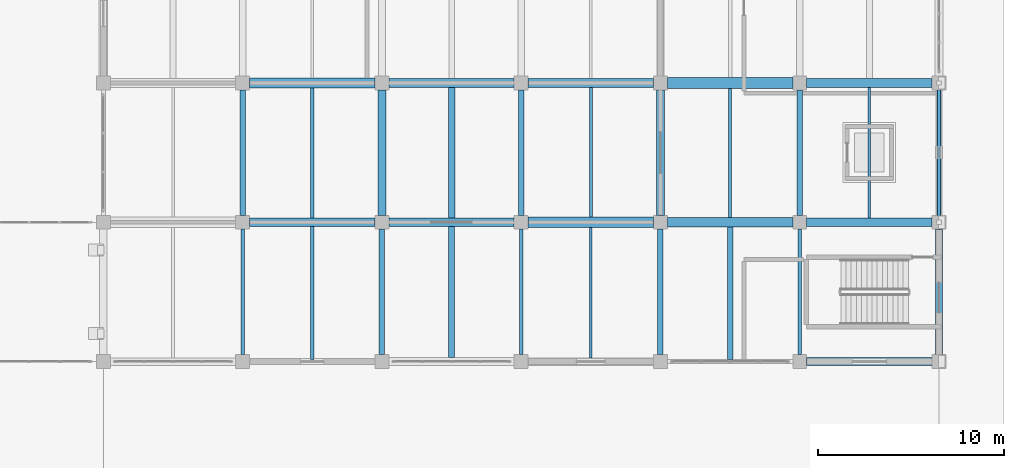
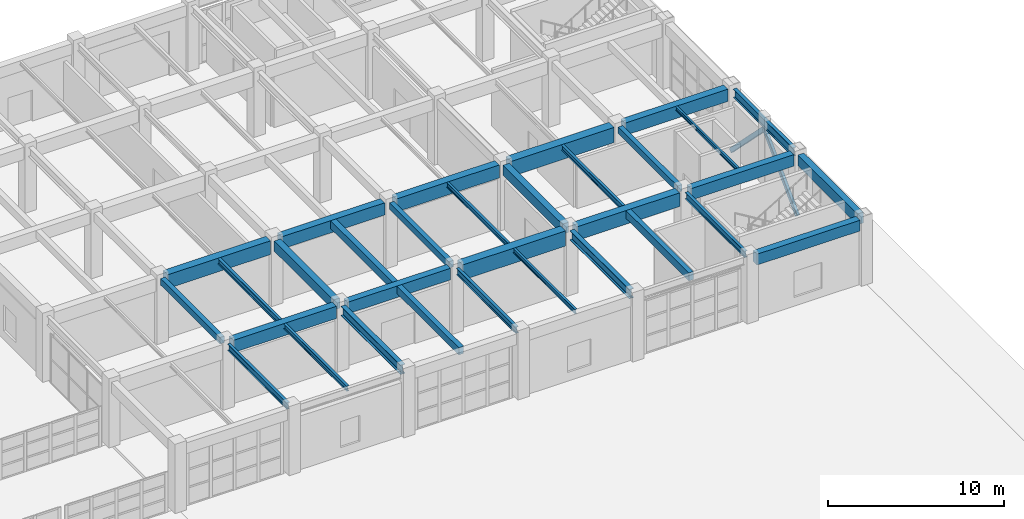
# One storey, part 64 of 122: 32 beams, 2 members.
"""IFC4 building model written with IfcOpenShell, lengths in metres."""

from ifc_helpers import new_model, si_unit, direction, frame, origin, origin_2d, place, context, subcontext, project, spatial, rectangle, hollow_rectangle, i_section, extrude, material, material_profile, profile_set, type_object, element, save


model = new_model("IFC4")

# Units and contexts
model_context = context("Model", 3, precision=1e-05, world=origin(), true_north=direction((0.0, 1.0)))
body_context = subcontext(model_context, "Body", "Model", "MODEL_VIEW")
ifc_project = project(units=[si_unit("LENGTHUNIT", "METRE"), si_unit("AREAUNIT", "SQUARE_METRE"), si_unit("VOLUMEUNIT", "CUBIC_METRE"), si_unit("PLANEANGLEUNIT", "RADIAN"), si_unit("MASSUNIT", "GRAM", prefix="KILO")], contexts=[model_context])

# Site, building, storey
site_placement = place(None, origin())
site = spatial("IfcSite", under=ifc_project, at=site_placement, CompositionType="ELEMENT")
building_placement = place(site_placement, origin())
building = spatial("IfcBuilding", under=site, at=building_placement, Name="Qasida Concert Hall", CompositionType="ELEMENT")
storey_placement = place(building_placement, origin())
storey = spatial("IfcBuildingStorey", under=building, at=storey_placement, Name="L00", CompositionType="ELEMENT", Elevation=0.0)

# Beams
ifc_material_1 = material(Name="Concrete C40/50", Category="concrete")
ifc_material_profile_1 = material_profile(ifc_material_1, rectangle(XDim=0.419921875, YDim=0.699951171875, at=origin_2d()), Name="RC 420x700")
ifc_profile_set_1 = profile_set([ifc_material_profile_1], Name="Concrete C40/50")
beam_type_1 = type_object("IfcBeamType", Name="BM-B11", PredefinedType="BEAM", material=ifc_profile_set_1)
for number, where, z_axis, x_axis, name in (
    (1, (135.0, 82.875, 4.14990234375), (0.0, 1.0, 0.0), (-1.0, 0.0, 0.0), "L00 girder 0636"),
    (2, (150.0, 82.875, 4.14990234375), (0.0, 1.0, 0.0), (-1.0, 0.0, 0.0), "L00 girder 0646"),
):
    element("IfcBeam", number, at=place(storey_placement, frame(where, z_axis=z_axis, x_axis=x_axis)), inside=storey, type_object=beam_type_1, Name=name, PredefinedType="BEAM", context=body_context, shape_type="SweptSolid", body=[
        extrude(rectangle(XDim=0.419921875, YDim=0.699951171875, at=origin_2d()), origin(), (0.0, 0.0, 1.0), 6.75),
    ])
ifc_material_2 = material(Name="Steel S355J2", Category="steel")
ifc_material_profile_2 = material_profile(ifc_material_2, i_section(OverallWidth=0.300048828125, OverallDepth=0.64990234375, WebThickness=0.01611328125, FlangeThickness=0.031005859375, FilletRadius=0.027099609375, at=origin_2d()), Name="HEB 650")
ifc_profile_set_2 = profile_set([ifc_material_profile_2], Name="Steel S355J2")
beam_type_2 = type_object("IfcBeamType", Name="BM-B13", PredefinedType="BEAM", material=ifc_profile_set_2)
for number, where, z_axis, x_axis, name in (
    (3, (135.0, 75.375, 4.175048828125), (0.0, 1.0, 0.0), (-1.0, 0.0, 0.0), "L00 girder 0635"),
    (4, (150.0, 75.375, 4.175048828125), (0.0, 1.0, 0.0), (-1.0, 0.0, 0.0), "L00 girder 0645"),
):
    element("IfcBeam", number, at=place(storey_placement, frame(where, z_axis=z_axis, x_axis=x_axis)), inside=storey, type_object=beam_type_2, Name=name, PredefinedType="BEAM", context=body_context, shape_type="SweptSolid", body=[
        extrude(i_section(OverallWidth=0.300048828125, OverallDepth=0.64990234375, WebThickness=0.01611328125, FlangeThickness=0.031005859375, FilletRadius=0.027099609375, at=origin_2d()), origin(), (0.0, 0.0, 1.0), 6.75),
    ])
ifc_material_profile_3 = material_profile(ifc_material_1, rectangle(XDim=0.300048828125, YDim=0.449951171875, at=origin_2d()), Name="RC 300x450")
ifc_profile_set_3 = profile_set([ifc_material_profile_3], Name="Concrete C40/50")
beam_type_3 = type_object("IfcBeamType", Name="BM-B3", PredefinedType="BEAM", material=ifc_profile_set_3)
for number, where, z_axis, x_axis, name in (
    (5, (127.5, 82.875, 4.27490234375), (0.0, 1.0, 0.0), (-1.0, 0.0, 0.0), "L00 girder 0631"),
    (6, (142.5, 82.875, 4.27490234375), (0.0, 1.0, 0.0), (-1.0, 0.0, 0.0), "L00 girder 0641"),
    (7, (157.5, 82.875, 4.27490234375), (0.0, 1.0, 0.0), (-1.0, 0.0, 0.0), "L00 girder 0651"),
):
    element("IfcBeam", number, at=place(storey_placement, frame(where, z_axis=z_axis, x_axis=x_axis)), inside=storey, type_object=beam_type_3, Name=name, PredefinedType="BEAM", context=body_context, shape_type="SweptSolid", body=[
        extrude(rectangle(XDim=0.300048828125, YDim=0.449951171875, at=origin_2d()), origin(), (0.0, 0.0, 1.0), 6.75),
    ])
ifc_material_profile_4 = material_profile(ifc_material_2, i_section(OverallWidth=0.18994140625, OverallDepth=0.449951171875, WebThickness=0.009521484375, FlangeThickness=0.0146484375, FilletRadius=0.02099609375, at=origin_2d()), Name="IPE 450")
ifc_profile_set_4 = profile_set([ifc_material_profile_4], Name="Steel S355J2")
beam_type_4 = type_object("IfcBeamType", Name="BM-B5", PredefinedType="BEAM", material=ifc_profile_set_4)
for number, where, z_axis, x_axis, name in (
    (8, (127.5, 75.375, 4.27490234375), (0.0, 1.0, 0.0), (-1.0, 0.0, 0.0), "L00 girder 0630"),
    (9, (142.5, 75.375, 4.27490234375), (0.0, 1.0, 0.0), (-1.0, 0.0, 0.0), "L00 girder 0640"),
    (10, (157.5, 75.375, 4.27490234375), (0.0, 1.0, 0.0), (-1.0, 0.0, 0.0), "L00 girder 0650"),
):
    element("IfcBeam", number, at=place(storey_placement, frame(where, z_axis=z_axis, x_axis=x_axis)), inside=storey, type_object=beam_type_4, Name=name, PredefinedType="BEAM", context=body_context, shape_type="SweptSolid", body=[
        extrude(i_section(OverallWidth=0.18994140625, OverallDepth=0.449951171875, WebThickness=0.009521484375, FlangeThickness=0.0146484375, FilletRadius=0.02099609375, at=origin_2d()), origin(), (0.0, 0.0, 1.0), 6.75),
    ])
ifc_material_profile_5 = material_profile(ifc_material_1, rectangle(XDim=0.5, YDim=0.89990234375, at=origin_2d()), Name="RC 500x900")
ifc_profile_set_5 = profile_set([ifc_material_profile_5], Name="Concrete C40/50")
beam_type_5 = type_object("IfcBeamType", Name="BM-G1", PredefinedType="USERDEFINED", material=ifc_profile_set_5)
beam_1_placement = place(storey_placement, frame((142.875, 90.0, 4.050048828125), z_axis=(1.0, 0.0, 0.0), x_axis=(0.0, 1.0, 0.0)))
element("IfcBeam", 11, at=beam_1_placement, inside=storey, type_object=beam_type_5, Name="Primary girder 0604", ObjectType="GIRDER", PredefinedType="USERDEFINED", context=body_context, shape_type="SweptSolid", body=[
    extrude(rectangle(XDim=0.5, YDim=0.89990234375, at=origin_2d()), origin(), (0.0, 0.0, 1.0), 6.75),
])
ifc_material_profile_6 = material_profile(ifc_material_1, rectangle(XDim=0.449951171875, YDim=0.800048828125, at=origin_2d()), Name="RC 450x800")
ifc_profile_set_6 = profile_set([ifc_material_profile_6], Name="Concrete C40/50")
beam_type_6 = type_object("IfcBeamType", Name="BM-G2", PredefinedType="USERDEFINED", material=ifc_profile_set_6)
for number, where, z_axis, x_axis, name in (
    (12, (135.375, 82.5, 4.10009765625), (1.0, 0.0, 0.0), (0.0, 1.0, 0.0), "Primary girder 0597"),
    (13, (157.875, 82.5, 4.10009765625), (1.0, 0.0, 0.0), (0.0, 1.0, 0.0), "Primary girder 0600"),
):
    element("IfcBeam", number, at=place(storey_placement, frame(where, z_axis=z_axis, x_axis=x_axis)), inside=storey, type_object=beam_type_6, Name=name, ObjectType="GIRDER", PredefinedType="USERDEFINED", context=body_context, shape_type="SweptSolid", body=[
        extrude(rectangle(XDim=0.449951171875, YDim=0.800048828125, at=origin_2d()), origin(), (0.0, 0.0, 1.0), 6.75),
    ])
ifc_material_profile_7 = material_profile(ifc_material_1, rectangle(XDim=0.47998046875, YDim=0.85009765625, at=origin_2d()), Name="RC 480x850")
ifc_profile_set_7 = profile_set([ifc_material_profile_7], Name="Concrete C40/50")
beam_type_7 = type_object("IfcBeamType", Name="BM-G6", PredefinedType="USERDEFINED", material=ifc_profile_set_7)
for number, where, z_axis, x_axis, name in (
    (14, (127.875, 82.5, 4.074951171875), (1.0, 0.0, 0.0), (0.0, 1.0, 0.0), "Primary girder 0596"),
    (15, (135.375, 90.0, 4.074951171875), (1.0, 0.0, 0.0), (0.0, 1.0, 0.0), "Primary girder 0603"),
    (16, (157.875, 90.0, 4.074951171875), (1.0, 0.0, 0.0), (0.0, 1.0, 0.0), "Primary girder 0606"),
):
    element("IfcBeam", number, at=place(storey_placement, frame(where, z_axis=z_axis, x_axis=x_axis)), inside=storey, type_object=beam_type_7, Name=name, ObjectType="GIRDER", PredefinedType="USERDEFINED", context=body_context, shape_type="SweptSolid", body=[
        extrude(rectangle(XDim=0.47998046875, YDim=0.85009765625, at=origin_2d()), origin(), (0.0, 0.0, 1.0), 6.75),
    ])
ifc_material_profile_8 = material_profile(ifc_material_1, rectangle(XDim=0.52001953125, YDim=0.949951171875, at=origin_2d()), Name="RC 520x950")
ifc_profile_set_8 = profile_set([ifc_material_profile_8], Name="Concrete C40/50")
beam_type_8 = type_object("IfcBeamType", Name="BM-G7", PredefinedType="USERDEFINED", material=ifc_profile_set_8)
for number, where, z_axis, x_axis, name in (
    (17, (150.375, 82.5, 4.02490234375), (1.0, 0.0, 0.0), (0.0, 1.0, 0.0), "Primary girder 0599"),
    (18, (127.875, 90.0, 4.02490234375), (1.0, 0.0, 0.0), (0.0, 1.0, 0.0), "Primary girder 0602"),
):
    element("IfcBeam", number, at=place(storey_placement, frame(where, z_axis=z_axis, x_axis=x_axis)), inside=storey, type_object=beam_type_8, Name=name, ObjectType="GIRDER", PredefinedType="USERDEFINED", context=body_context, shape_type="SweptSolid", body=[
        extrude(rectangle(XDim=0.52001953125, YDim=0.949951171875, at=origin_2d()), origin(), (0.0, 0.0, 1.0), 6.75),
    ])
ifc_material_3 = material(Name="Concrete C50/60", Category="concrete")
ifc_material_profile_9 = material_profile(ifc_material_3, rectangle(XDim=0.580078125, YDim=1.050048828125, at=origin_2d()), Name="RC 580x1050")
ifc_profile_set_9 = profile_set([ifc_material_profile_9], Name="Concrete C50/60")
beam_type_9 = type_object("IfcBeamType", Name="BM-G8", PredefinedType="USERDEFINED", material=ifc_profile_set_9)
for number, where, z_axis, x_axis, name in (
    (19, (142.875, 82.5, 3.97509765625), (1.0, 0.0, 0.0), (0.0, 1.0, 0.0), "Primary girder 0598"),
    (20, (150.375, 90.0, 3.97509765625), (1.0, 0.0, 0.0), (0.0, 1.0, 0.0), "Primary girder 0605"),
):
    element("IfcBeam", number, at=place(storey_placement, frame(where, z_axis=z_axis, x_axis=x_axis)), inside=storey, type_object=beam_type_9, Name=name, ObjectType="GIRDER", PredefinedType="USERDEFINED", context=body_context, shape_type="SweptSolid", body=[
        extrude(rectangle(XDim=0.580078125, YDim=1.050048828125, at=origin_2d()), origin(), (0.0, 0.0, 1.0), 6.75),
    ])
ifc_material_profile_10 = material_profile(ifc_material_1, rectangle(XDim=0.300048828125, YDim=0.550048828125, at=origin_2d()), Name="RC 300x550")
ifc_profile_set_10 = profile_set([ifc_material_profile_10], Name="Concrete C40/50")
beam_type_10 = type_object("IfcBeamType", Name="BM-J1", PredefinedType="JOIST", material=ifc_profile_set_10)
beam_2_placement = place(storey_placement, frame((153.75, 75.10498046875, 4.22509765625), z_axis=(0.0, 1.0, 0.0), x_axis=(-1.0, 0.0, 0.0)))
element("IfcBeam", 21, at=beam_2_placement, inside=storey, type_object=beam_type_10, Name="L00 secondary joist 0680", PredefinedType="JOIST", context=body_context, shape_type="SweptSolid", body=[
    extrude(rectangle(XDim=0.300048828125, YDim=0.550048828125, at=origin_2d()), origin(), (0.0, 0.0, 1.0), 7.135009765625),
])
ifc_material_profile_11 = material_profile(ifc_material_2, i_section(OverallWidth=0.169921875, OverallDepth=0.360107421875, WebThickness=0.008056640625, FlangeThickness=0.0126953125, FilletRadius=0.01806640625, at=origin_2d()), Name="IPE 360")
ifc_profile_set_11 = profile_set([ifc_material_profile_11], Name="Steel S355J2")
beam_type_11 = type_object("IfcBeamType", Name="BM-J2", PredefinedType="JOIST", material=ifc_profile_set_11)
beam_3_placement = place(storey_placement, frame((131.25, 75.10498046875, 4.320068359375), z_axis=(0.0, 1.0, 0.0), x_axis=(-1.0, 0.0, 0.0)))
element("IfcBeam", 22, at=beam_3_placement, inside=storey, type_object=beam_type_11, Name="L00 secondary joist 0665", PredefinedType="JOIST", context=body_context, shape_type="SweptSolid", body=[
    extrude(i_section(OverallWidth=0.169921875, OverallDepth=0.360107421875, WebThickness=0.008056640625, FlangeThickness=0.0126953125, FilletRadius=0.01806640625, at=origin_2d()), origin(), (0.0, 0.0, 1.0), 7.155029296875),
])
beam_4_placement = place(storey_placement, frame((153.75, 82.760009765625, 4.320068359375), z_axis=(0.0, 1.0, 0.0), x_axis=(-1.0, 0.0, 0.0)))
element("IfcBeam", 23, at=beam_4_placement, inside=storey, type_object=beam_type_11, Name="L00 secondary joist 0681", PredefinedType="JOIST", context=body_context, shape_type="SweptSolid", body=[
    extrude(i_section(OverallWidth=0.169921875, OverallDepth=0.360107421875, WebThickness=0.008056640625, FlangeThickness=0.0126953125, FilletRadius=0.01806640625, at=origin_2d()), origin(), (0.0, 0.0, 1.0), 6.949951171875),
])
ifc_material_profile_12 = material_profile(ifc_material_2, i_section(OverallWidth=0.179931640625, OverallDepth=0.39990234375, WebThickness=0.008544921875, FlangeThickness=0.013427734375, FilletRadius=0.02099609375, at=origin_2d()), Name="IPE 400")
ifc_profile_set_12 = profile_set([ifc_material_profile_12], Name="Steel S355J2")
beam_type_12 = type_object("IfcBeamType", Name="BM-J3", PredefinedType="JOIST", material=ifc_profile_set_12)
beam_5_placement = place(storey_placement, frame((131.25, 82.739990234375, 4.300048828125), z_axis=(0.0, 1.0, 0.0), x_axis=(-1.0, 0.0, 0.0)))
element("IfcBeam", 24, at=beam_5_placement, inside=storey, type_object=beam_type_12, Name="L00 secondary joist 0666", PredefinedType="JOIST", context=body_context, shape_type="SweptSolid", body=[
    extrude(i_section(OverallWidth=0.179931640625, OverallDepth=0.39990234375, WebThickness=0.008544921875, FlangeThickness=0.013427734375, FilletRadius=0.02099609375, at=origin_2d()), origin(), (0.0, 0.0, 1.0), 7.0),
])
ifc_material_profile_13 = material_profile(ifc_material_2, i_section(OverallWidth=0.14990234375, OverallDepth=0.300048828125, WebThickness=0.007080078125, FlangeThickness=0.0107421875, FilletRadius=0.014892578125, at=origin_2d()), Name="IPE 300")
ifc_profile_set_13 = profile_set([ifc_material_profile_13], Name="Steel S355J2")
beam_type_13 = type_object("IfcBeamType", Name="BM-J4", PredefinedType="JOIST", material=ifc_profile_set_13)
beam_6_placement = place(storey_placement, frame((146.25, 75.199951171875, 4.35009765625), z_axis=(0.0, 1.0, 0.0), x_axis=(-1.0, 0.0, 0.0)))
element("IfcBeam", 25, at=beam_6_placement, inside=storey, type_object=beam_type_13, Name="L00 secondary joist 0675", PredefinedType="JOIST", context=body_context, shape_type="SweptSolid", body=[
    extrude(i_section(OverallWidth=0.14990234375, OverallDepth=0.300048828125, WebThickness=0.007080078125, FlangeThickness=0.0107421875, FilletRadius=0.014892578125, at=origin_2d()), origin(), (0.0, 0.0, 1.0), 7.010009765625),
])
ifc_material_profile_14 = material_profile(ifc_material_2, i_section(OverallWidth=0.159912109375, OverallDepth=0.330078125, WebThickness=0.007568359375, FlangeThickness=0.011474609375, FilletRadius=0.01806640625, at=origin_2d()), Name="IPE 330")
ifc_profile_set_14 = profile_set([ifc_material_profile_14], Name="Steel S355J2")
beam_type_14 = type_object("IfcBeamType", Name="BM-J5", PredefinedType="JOIST", material=ifc_profile_set_14)
beam_7_placement = place(storey_placement, frame((146.25, 82.7900390625, 4.3349609375), z_axis=(0.0, 1.0, 0.0), x_axis=(-1.0, 0.0, 0.0)))
element("IfcBeam", 26, at=beam_7_placement, inside=storey, type_object=beam_type_14, Name="L00 secondary joist 0676", PredefinedType="JOIST", context=body_context, shape_type="SweptSolid", body=[
    extrude(i_section(OverallWidth=0.159912109375, OverallDepth=0.330078125, WebThickness=0.007568359375, FlangeThickness=0.011474609375, FilletRadius=0.01806640625, at=origin_2d()), origin(), (0.0, 0.0, 1.0), 6.9599609375),
])
ifc_material_profile_15 = material_profile(ifc_material_2, i_section(OverallWidth=0.135009765625, OverallDepth=0.27001953125, WebThickness=0.006591796875, FlangeThickness=0.01025390625, FilletRadius=0.014892578125, at=origin_2d()), Name="IPE 270")
ifc_profile_set_15 = profile_set([ifc_material_profile_15], Name="Steel S355J2")
beam_type_15 = type_object("IfcBeamType", Name="BM-J6", PredefinedType="JOIST", material=ifc_profile_set_15)
beam_8_placement = place(storey_placement, frame((161.25, 82.72509765625, 4.364990234375), z_axis=(0.0, 1.0, 0.0), x_axis=(-1.0, 0.0, 0.0)))
element("IfcBeam", 27, at=beam_8_placement, inside=storey, type_object=beam_type_15, Name="L00 secondary joist 0685", PredefinedType="JOIST", context=body_context, shape_type="SweptSolid", body=[
    extrude(i_section(OverallWidth=0.135009765625, OverallDepth=0.27001953125, WebThickness=0.006591796875, FlangeThickness=0.01025390625, FilletRadius=0.014892578125, at=origin_2d()), origin(), (0.0, 0.0, 1.0), 7.034912109375),
])
ifc_material_profile_16 = material_profile(ifc_material_1, rectangle(XDim=0.320068359375, YDim=0.5, at=origin_2d()), Name="RC 320x500")
ifc_profile_set_16 = profile_set([ifc_material_profile_16], Name="Concrete C40/50")
beam_type_16 = type_object("IfcBeamType", Name="BM-J7", PredefinedType="JOIST", material=ifc_profile_set_16)
beam_9_placement = place(storey_placement, frame((138.75, 75.22509765625, 4.25), z_axis=(0.0, 1.0, 0.0), x_axis=(-1.0, 0.0, 0.0)))
element("IfcBeam", 28, at=beam_9_placement, inside=storey, type_object=beam_type_16, Name="L00 secondary joist 0670", PredefinedType="JOIST", context=body_context, shape_type="SweptSolid", body=[
    extrude(rectangle(XDim=0.320068359375, YDim=0.5, at=origin_2d()), origin(), (0.0, 0.0, 1.0), 7.0498046875),
])
ifc_material_profile_17 = material_profile(ifc_material_1, rectangle(XDim=0.35009765625, YDim=0.550048828125, at=origin_2d()), Name="RC 350x550")
ifc_profile_set_17 = profile_set([ifc_material_profile_17], Name="Concrete C40/50")
beam_type_17 = type_object("IfcBeamType", Name="BM-J8", PredefinedType="JOIST", material=ifc_profile_set_17)
beam_10_placement = place(storey_placement, frame((138.75, 82.72509765625, 4.22509765625), z_axis=(0.0, 1.0, 0.0), x_axis=(-1.0, 0.0, 0.0)))
element("IfcBeam", 29, at=beam_10_placement, inside=storey, type_object=beam_type_17, Name="L00 secondary joist 0671", PredefinedType="JOIST", context=body_context, shape_type="SweptSolid", body=[
    extrude(rectangle(XDim=0.35009765625, YDim=0.550048828125, at=origin_2d()), origin(), (0.0, 0.0, 1.0), 7.034912109375),
])
ifc_material_profile_18 = material_profile(ifc_material_1, rectangle(XDim=0.39990234375, YDim=0.75, at=origin_2d()), Name="RC 400x750")
ifc_profile_set_18 = profile_set([ifc_material_profile_18], Name="Concrete C40/50")
beam_type_18 = type_object("IfcBeamType", Name="BM-SP1", PredefinedType="SPANDREL", material=ifc_profile_set_18)
beam_11_placement = place(storey_placement, frame((165.0, 75.375, 4.125), z_axis=(0.0, 1.0, 0.0), x_axis=(-1.0, 0.0, 0.0)))
element("IfcBeam", 30, at=beam_11_placement, inside=storey, type_object=beam_type_18, Name="L00 girder 0655", PredefinedType="SPANDREL", context=body_context, shape_type="SweptSolid", body=[
    extrude(rectangle(XDim=0.39990234375, YDim=0.75, at=origin_2d()), origin(), (0.0, 0.0, 1.0), 6.75),
])
ifc_material_profile_19 = material_profile(ifc_material_2, i_section(OverallWidth=0.219970703125, OverallDepth=0.60009765625, WebThickness=0.011962890625, FlangeThickness=0.01904296875, FilletRadius=0.02392578125, at=origin_2d()), Name="IPE 600")
ifc_profile_set_19 = profile_set([ifc_material_profile_19], Name="Steel S355J2")
beam_type_19 = type_object("IfcBeamType", Name="BM-SP3", PredefinedType="SPANDREL", material=ifc_profile_set_19)
beam_12_placement = place(storey_placement, frame((165.0, 82.875, 4.199951171875), z_axis=(0.0, 1.0, 0.0), x_axis=(-1.0, 0.0, 0.0)))
element("IfcBeam", 31, at=beam_12_placement, inside=storey, type_object=beam_type_19, Name="L00 girder 0656", PredefinedType="SPANDREL", context=body_context, shape_type="SweptSolid", body=[
    extrude(i_section(OverallWidth=0.219970703125, OverallDepth=0.60009765625, WebThickness=0.011962890625, FlangeThickness=0.01904296875, FilletRadius=0.02392578125, at=origin_2d()), origin(), (0.0, 0.0, 1.0), 6.75),
])
ifc_material_profile_20 = material_profile(ifc_material_1, rectangle(XDim=0.449951171875, YDim=0.75, at=origin_2d()), Name="RC 450x750")
ifc_profile_set_20 = profile_set([ifc_material_profile_20], Name="Concrete C40/50")
beam_type_20 = type_object("IfcBeamType", Name="BM-SP4", PredefinedType="SPANDREL", material=ifc_profile_set_20)
beam_13_placement = place(storey_placement, frame((157.875, 75.0, 4.125), z_axis=(1.0, 0.0, 0.0), x_axis=(0.0, 1.0, 0.0)))
element("IfcBeam", 32, at=beam_13_placement, inside=storey, type_object=beam_type_20, Name="Primary girder 0594", PredefinedType="SPANDREL", context=body_context, shape_type="SweptSolid", body=[
    extrude(rectangle(XDim=0.449951171875, YDim=0.75, at=origin_2d()), origin(), (0.0, 0.0, 1.0), 6.75),
])

# Members
ifc_material_profile_21 = material_profile(ifc_material_2, hollow_rectangle(XDim=0.199951171875, YDim=0.300048828125, WallThickness=0.012451171875, InnerFilletRadius=0.012451171875, OuterFilletRadius=0.02490234375, at=origin_2d()), Name="RHS 300x200x12.5")
ifc_profile_set_21 = profile_set([ifc_material_profile_21], Name="Steel S355J2")
member_type = type_object("IfcMemberType", Name="MB-BR7", PredefinedType="BRACE", material=ifc_profile_set_21)
for number, where, z_axis, x_axis, name in (
    (33, (165.0, 82.5, 0.0), (0.0, 0.705221847416, 0.708986703632), (-1.0, 0.0, 0.0), "L00 chevron brace CBF-0049"),
    (34, (165.0, 90.0, 0.0), (0.0, -0.705221847416, 0.708986703632), (1.0, 0.0, 0.0), "L00 chevron brace CBF-0050"),
):
    element("IfcMember", number, at=place(storey_placement, frame(where, z_axis=z_axis, x_axis=x_axis)), inside=storey, type_object=member_type, Name=name, PredefinedType="BRACE", context=body_context, shape_type="SweptSolid", body=[
        extrude(hollow_rectangle(XDim=0.199951171875, YDim=0.300048828125, WallThickness=0.012451171875, InnerFilletRadius=0.012451171875, OuterFilletRadius=0.02490234375, at=origin_2d()), origin(), (0.0, 0.0, 1.0), 5.3173828125),
    ])

save(model, "model.ifc")
